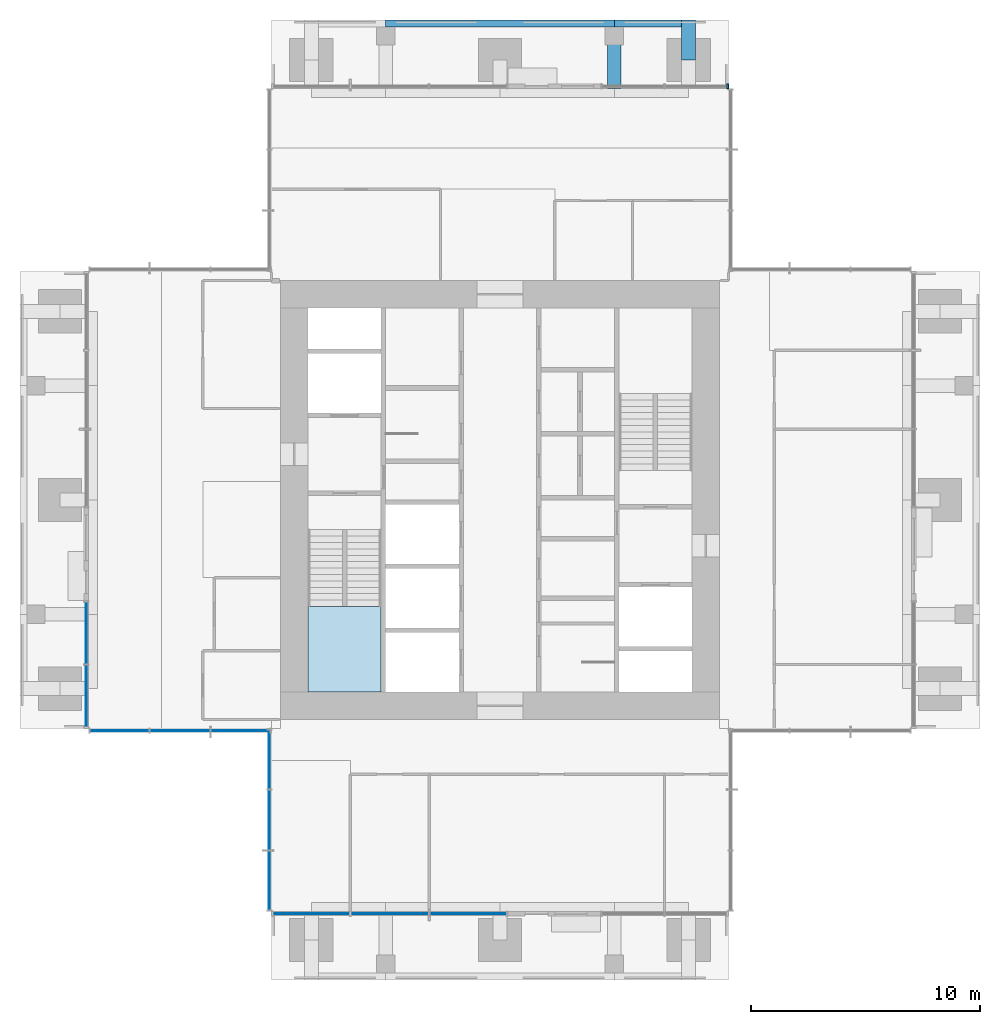
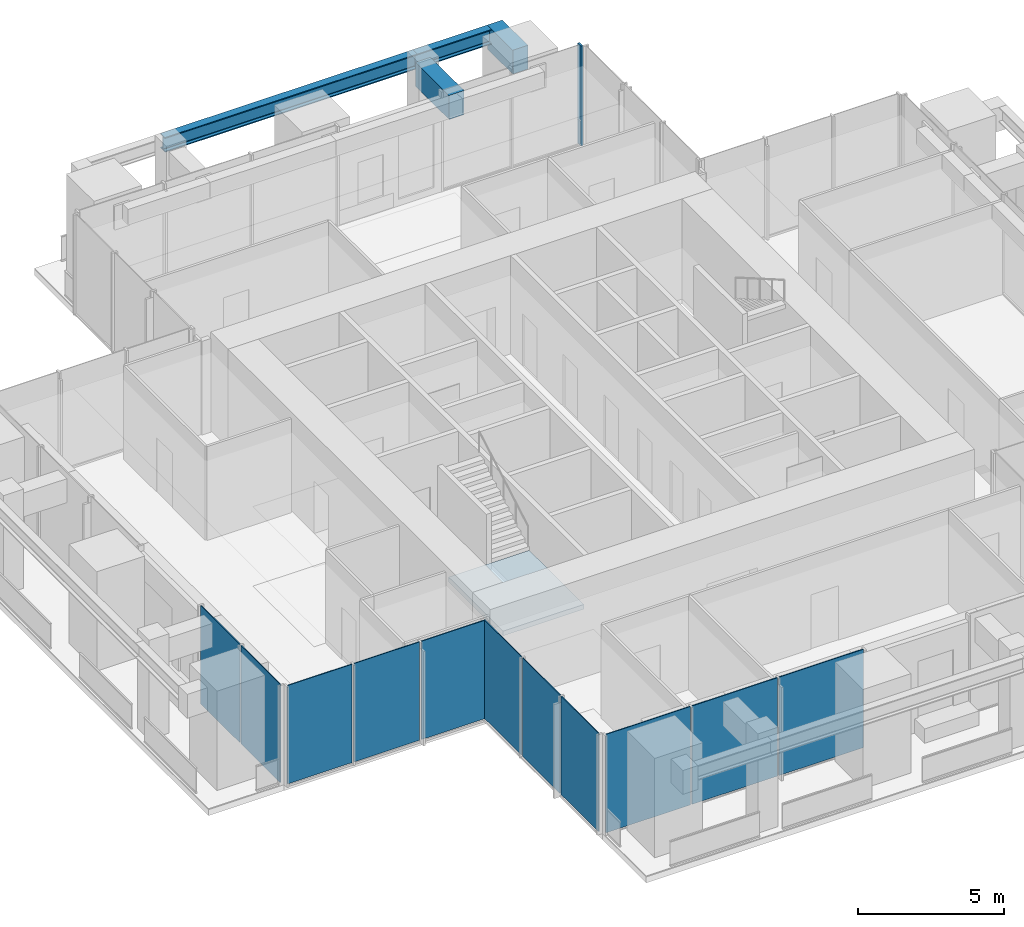
# One storey, part 5 of 12: 11 plates, 4 beams, 1 member, 1 slab, 6 elements without a shape of their own.
"""IFC4 building model written with IfcOpenShell, lengths in metres."""

from ifc_helpers import new_model, si_unit, direction, frame, origin, origin_2d, place, context, subcontext, project, spatial, polyline, rectangle, i_section, outline, extrude, material, layer, layer_set, material_profile, profile_set, type_object, element, aggregate, save


model = new_model("IFC4")

# Units and contexts
model_context = context("Model", 3, precision=1e-05, world=origin(), true_north=direction((0.0, 1.0)))
body_context = subcontext(model_context, "Body", "Model", "MODEL_VIEW")
ifc_project = project(units=[si_unit("LENGTHUNIT", "METRE"), si_unit("AREAUNIT", "SQUARE_METRE"), si_unit("VOLUMEUNIT", "CUBIC_METRE"), si_unit("PLANEANGLEUNIT", "RADIAN"), si_unit("MASSUNIT", "GRAM", prefix="KILO")], contexts=[model_context])

# Site, building, storey
site_placement = place(None, origin())
site = spatial("IfcSite", under=ifc_project, at=site_placement, CompositionType="ELEMENT")
building_placement = place(site_placement, origin())
building = spatial("IfcBuilding", under=site, at=building_placement, Name="Svetlomir Tower", CompositionType="ELEMENT")
storey_placement = place(building_placement, frame((0.0, 0.0, 244.0)))
storey = spatial("IfcBuildingStorey", under=building, at=storey_placement, Name="L58", CompositionType="ELEMENT", Elevation=244.0)

# Curtain wall, member
ifc_material_1 = material(Name="Bronze anodised aluminium curtain wall", Category="aluminium")
curtain_wall_type = type_object("IfcCurtainWallType", Name="CURTAIN WALL CW4 EXECUTIVE", PredefinedType="NOTDEFINED", material=ifc_material_1)
curtain_wall_1_placement = place(storey_placement, origin())
curtain_wall_1 = element("IfcCurtainWall", 1, at=curtain_wall_1_placement, inside=storey, type_object=curtain_wall_type, Name="Curtain wall CW4 L58", PredefinedType="NOTDEFINED")
ifc_material_2 = material(Name="Bronze anodised aluminium", Category="aluminium")
ifc_material_profile_1 = material_profile(ifc_material_2, rectangle(XDim=0.074951171875, YDim=0.219970703125, at=origin_2d()), Name="AL 75x220")
ifc_profile_set_1 = profile_set([ifc_material_profile_1], Name="Bronze anodised aluminium 6063-T6")
member_type = type_object("IfcMemberType", Name="CW4 MULLION 75x220", PredefinedType="MULLION", material=ifc_profile_set_1)
member_placement = place(storey_placement, frame((30.96240234375, 39.10009765625, 0.0), z_axis=(0.0, 0.0, 1.0), x_axis=(-1.0, 0.0, 0.0)))
member = element("IfcMember", 2, at=member_placement, type_object=member_type, Name="CW4 mullion 1", PredefinedType="MULLION", context=body_context, shape_type="SweptSolid", body=[
    extrude(rectangle(XDim=0.074951171875, YDim=0.219970703125, at=origin_2d()), origin(), (0.0, 0.0, 1.0), 4.199951171875),
])
aggregate(curtain_wall_1, [member])

# Beams
ifc_material_3 = material(Name="Steel S355", Category="steel")
ifc_material_profile_2 = material_profile(ifc_material_3, i_section(OverallWidth=0.304931640625, OverallDepth=0.6201171875, WebThickness=0.02099609375, FlangeThickness=0.0400390625, FilletRadius=0.027099609375, at=origin_2d()), Name="HEM 600")
ifc_profile_set_2 = profile_set([ifc_material_profile_2], Name="Steel S355")
beam_type_1 = type_object("IfcBeamType", Name="EDGE BEAM HEM 600", PredefinedType="SPANDREL", material=ifc_profile_set_2)
beam_1_placement = place(storey_placement, frame((16.0, 41.847412109375, 3.639892578125), z_axis=(1.0, 0.0, 0.0), x_axis=(0.0, 1.0, 0.0)))
element("IfcBeam", 3, at=beam_1_placement, inside=storey, type_object=beam_type_1, Name="Edge beam 16/42 to 26/42 under L59", PredefinedType="SPANDREL", context=body_context, shape_type="SweptSolid", body=[
    extrude(i_section(OverallWidth=0.304931640625, OverallDepth=0.6201171875, WebThickness=0.02099609375, FlangeThickness=0.0400390625, FilletRadius=0.027099609375, at=origin_2d()), origin(), (0.0, 0.0, 1.0), 10.0),
])
beam_2_placement = place(storey_placement, frame((26.0, 41.847412109375, 3.639892578125), z_axis=(1.0, 0.0, 0.0), x_axis=(0.0, 1.0, 0.0)))
element("IfcBeam", 4, at=beam_2_placement, inside=storey, type_object=beam_type_1, Name="Edge beam 26/42 to 31/42 under L59", PredefinedType="SPANDREL", context=body_context, shape_type="SweptSolid", body=[
    extrude(i_section(OverallWidth=0.304931640625, OverallDepth=0.6201171875, WebThickness=0.02099609375, FlangeThickness=0.0400390625, FilletRadius=0.027099609375, at=origin_2d()), origin(), (0.0, 0.0, 1.0), 2.949951171875),
])
ifc_material_4 = material(Name="Concrete C60/75", Category="concrete")
ifc_material_profile_3 = material_profile(ifc_material_4, rectangle(XDim=0.60009765625, YDim=1.0, at=origin_2d()), Name="RC 600x1000")
ifc_profile_set_3 = profile_set([ifc_material_profile_3], Name="Concrete C60/75")
beam_type_2 = type_object("IfcBeamType", Name="EDGE LINK BEAM RC 600x1000", PredefinedType="BEAM", material=ifc_profile_set_3)
beam_3_placement = place(storey_placement, frame((29.25, 40.25, 3.449951171875), z_axis=(0.0, 1.0, 0.0), x_axis=(-1.0, 0.0, 0.0)))
element("IfcBeam", 5, at=beam_3_placement, inside=storey, type_object=beam_type_2, Name="Edge link beam N 31/42 under L59", PredefinedType="BEAM", context=body_context, shape_type="SweptSolid", body=[
    extrude(rectangle(XDim=0.60009765625, YDim=1.0, at=origin_2d()), origin(), (0.0, 0.0, 1.0), 1.75),
])
ifc_material_5 = material(Name="Concrete C60/75", Category="concrete")
ifc_material_profile_4 = material_profile(ifc_material_5, rectangle(XDim=0.60009765625, YDim=1.0, at=origin_2d()), Name="RC 600x1000")
ifc_profile_set_4 = profile_set([ifc_material_profile_4], Name="Concrete C60/75")
beam_type_3 = type_object("IfcBeamType", Name="LOGGIA LINK BEAM RC 600x1000", PredefinedType="BEAM", material=ifc_profile_set_4)
beam_4_placement = place(storey_placement, frame((26.0, 41.300048828125, 3.449951171875), z_axis=(0.0, -1.0, 0.0), x_axis=(1.0, 0.0, 0.0)))
element("IfcBeam", 6, at=beam_4_placement, inside=storey, type_object=beam_type_3, Name="Loggia link beam N 26 under L59", PredefinedType="BEAM", context=body_context, shape_type="SweptSolid", body=[
    extrude(rectangle(XDim=0.60009765625, YDim=1.0, at=origin_2d()), origin(), (0.0, 0.0, 1.0), 2.300048828125),
])

# Curtain wall, plates
curtain_wall_2_placement = place(storey_placement, origin())
curtain_wall_2 = element("IfcCurtainWall", 7, at=curtain_wall_2_placement, inside=storey, type_object=curtain_wall_type, Name="Curtain wall CW4 L58", PredefinedType="NOTDEFINED")
ifc_material_6 = material(Name="Tinted double glazed unit", Category="glass")
ifc_layer_1 = layer(ifc_material_6, 0.035888671875)
ifc_layer_set_1 = layer_set([ifc_layer_1], Name="Tinted double glazed unit")
plate_type = type_object("IfcPlateType", Name="CW4 GLAZED PANEL 36", PredefinedType="CURTAIN_PANEL", material=ifc_layer_set_1)
plate_1_placement = place(storey_placement, frame((12.74365234375, 2.89990234375, 0.074951171875), z_axis=(0.0, 0.0, 1.0), x_axis=(1.0, 0.0, 0.0)))
plate_1 = element("IfcPlate", 8, at=plate_1_placement, type_object=plate_type, Name="CW4 panel 1.1", PredefinedType="CURTAIN_PANEL", context=body_context, shape_type="SweptSolid", body=[
    extrude(rectangle(XDim=3.33740234375, YDim=0.035888671875, at=origin_2d()), origin(), (0.0, 0.0, 1.0), 4.125),
])
plate_2_placement = place(storey_placement, frame((16.175048828125, 2.89990234375, 0.074951171875), z_axis=(0.0, 0.0, 1.0), x_axis=(1.0, 0.0, 0.0)))
plate_2 = element("IfcPlate", 9, at=plate_2_placement, type_object=plate_type, Name="CW4 panel 2.1", PredefinedType="CURTAIN_PANEL", context=body_context, shape_type="SweptSolid", body=[
    extrude(rectangle(XDim=3.375, YDim=0.035888671875, at=origin_2d()), origin(), (0.0, 0.0, 1.0), 4.125),
])
plate_3_placement = place(storey_placement, frame((19.606201171875, 2.89990234375, 0.074951171875), z_axis=(0.0, 0.0, 1.0), x_axis=(1.0, 0.0, 0.0)))
plate_3 = element("IfcPlate", 10, at=plate_3_placement, type_object=plate_type, Name="CW4 panel 3.1", PredefinedType="CURTAIN_PANEL", context=body_context, shape_type="SweptSolid", body=[
    extrude(rectangle(XDim=3.33740234375, YDim=0.035888671875, at=origin_2d()), origin(), (0.0, 0.0, 1.0), 4.125),
])
aggregate(curtain_wall_2, [plate_1, plate_2, plate_3])

curtain_wall_3_placement = place(storey_placement, origin())
curtain_wall_3 = element("IfcCurtainWall", 11, at=curtain_wall_3_placement, inside=storey, type_object=curtain_wall_type, Name="Curtain wall CW4 L58", PredefinedType="NOTDEFINED")
plate_4_placement = place(storey_placement, frame((2.89990234375, 15.18115234375, 0.074951171875), z_axis=(0.0, 0.0, 1.0), x_axis=(0.0, -1.0, 0.0)))
plate_4 = element("IfcPlate", 12, at=plate_4_placement, type_object=plate_type, Name="CW4 panel 1.1", PredefinedType="CURTAIN_PANEL", context=body_context, shape_type="SweptSolid", body=[
    extrude(rectangle(XDim=2.6875, YDim=0.035888671875, at=origin_2d()), origin(), (0.0, 0.0, 1.0), 4.125),
])
plate_5_placement = place(storey_placement, frame((2.89990234375, 12.418701171875, 0.074951171875), z_axis=(0.0, 0.0, 1.0), x_axis=(0.0, -1.0, 0.0)))
plate_5 = element("IfcPlate", 13, at=plate_5_placement, type_object=plate_type, Name="CW4 panel 2.1", PredefinedType="CURTAIN_PANEL", context=body_context, shape_type="SweptSolid", body=[
    extrude(rectangle(XDim=2.6875, YDim=0.035888671875, at=origin_2d()), origin(), (0.0, 0.0, 1.0), 4.125),
])
aggregate(curtain_wall_3, [plate_4, plate_5])

curtain_wall_4_placement = place(storey_placement, origin())
curtain_wall_4 = element("IfcCurtainWall", 14, at=curtain_wall_4_placement, inside=storey, type_object=curtain_wall_type, Name="Curtain wall CW4 L58", PredefinedType="NOTDEFINED")
plate_6_placement = place(storey_placement, frame((4.35205078125, 10.89990234375, 0.074951171875), z_axis=(0.0, 0.0, 1.0), x_axis=(1.0, 0.0, 0.0)))
plate_6 = element("IfcPlate", 15, at=plate_6_placement, type_object=plate_type, Name="CW4 panel 1.1", PredefinedType="CURTAIN_PANEL", context=body_context, shape_type="SweptSolid", body=[
    extrude(rectangle(XDim=2.55419921875, YDim=0.035888671875, at=origin_2d()), origin(), (0.0, 0.0, 1.0), 4.125),
])
plate_7_placement = place(storey_placement, frame((7.0, 10.89990234375, 0.074951171875), z_axis=(0.0, 0.0, 1.0), x_axis=(1.0, 0.0, 0.0)))
plate_7 = element("IfcPlate", 16, at=plate_7_placement, type_object=plate_type, Name="CW4 panel 2.1", PredefinedType="CURTAIN_PANEL", context=body_context, shape_type="SweptSolid", body=[
    extrude(rectangle(XDim=2.591552734375, YDim=0.035888671875, at=origin_2d()), origin(), (0.0, 0.0, 1.0), 4.125),
])
plate_8_placement = place(storey_placement, frame((9.64794921875, 10.89990234375, 0.074951171875), z_axis=(0.0, 0.0, 1.0), x_axis=(1.0, 0.0, 0.0)))
plate_8 = element("IfcPlate", 17, at=plate_8_placement, type_object=plate_type, Name="CW4 panel 3.1", PredefinedType="CURTAIN_PANEL", context=body_context, shape_type="SweptSolid", body=[
    extrude(rectangle(XDim=2.55419921875, YDim=0.035888671875, at=origin_2d()), origin(), (0.0, 0.0, 1.0), 4.125),
])
aggregate(curtain_wall_4, [plate_6, plate_7, plate_8])

curtain_wall_5_placement = place(storey_placement, origin())
curtain_wall_5 = element("IfcCurtainWall", 18, at=curtain_wall_5_placement, inside=storey, type_object=curtain_wall_type, Name="Curtain wall CW4 L58", PredefinedType="NOTDEFINED")
plate_9_placement = place(storey_placement, frame((10.89990234375, 9.64794921875, 0.074951171875), z_axis=(0.0, 0.0, 1.0), x_axis=(0.0, -1.0, 0.0)))
plate_9 = element("IfcPlate", 19, at=plate_9_placement, type_object=plate_type, Name="CW4 panel 1.1", PredefinedType="CURTAIN_PANEL", context=body_context, shape_type="SweptSolid", body=[
    extrude(rectangle(XDim=2.55419921875, YDim=0.035888671875, at=origin_2d()), origin(), (0.0, 0.0, 1.0), 4.125),
])
plate_10_placement = place(storey_placement, frame((10.89990234375, 7.0, 0.074951171875), z_axis=(0.0, 0.0, 1.0), x_axis=(0.0, -1.0, 0.0)))
plate_10 = element("IfcPlate", 20, at=plate_10_placement, type_object=plate_type, Name="CW4 panel 2.1", PredefinedType="CURTAIN_PANEL", context=body_context, shape_type="SweptSolid", body=[
    extrude(rectangle(XDim=2.591552734375, YDim=0.035888671875, at=origin_2d()), origin(), (0.0, 0.0, 1.0), 4.125),
])
plate_11_placement = place(storey_placement, frame((10.89990234375, 4.35205078125, 0.074951171875), z_axis=(0.0, 0.0, 1.0), x_axis=(0.0, -1.0, 0.0)))
plate_11 = element("IfcPlate", 21, at=plate_11_placement, type_object=plate_type, Name="CW4 panel 3.1", PredefinedType="CURTAIN_PANEL", context=body_context, shape_type="SweptSolid", body=[
    extrude(rectangle(XDim=2.55419921875, YDim=0.035888671875, at=origin_2d()), origin(), (0.0, 0.0, 1.0), 4.125),
])
aggregate(curtain_wall_5, [plate_9, plate_10, plate_11])

# Stair, slab
ifc_material_7 = material(Name="Concrete C60/75", Category="concrete")
stair_type = type_object("IfcStairType", Name="EXIT STAIR 3200 RISE 4200", PredefinedType="HALF_TURN_STAIR", material=ifc_material_7)
stair_placement = place(storey_placement, origin())
stair = element("IfcStair", 22, at=stair_placement, inside=storey, type_object=stair_type, Name="Stair S1 L58 to L59", PredefinedType="HALF_TURN_STAIR")
ifc_material_8 = material(Name="Concrete C60/75", Category="concrete")
ifc_layer_2 = layer(ifc_material_8, 0.199951171875)
ifc_layer_set_2 = layer_set([ifc_layer_2], Name="Concrete C60/75")
slab_type = type_object("IfcSlabType", Name="STAIR LANDING 200", PredefinedType="LANDING", material=ifc_layer_set_2)
slab_placement = place(storey_placement, frame((0.0, 0.0, 1.89990234375)))
slab = element("IfcSlab", 23, at=slab_placement, type_object=slab_type, Name="S1 landing 1", PredefinedType="LANDING", context=body_context, shape_type="SweptSolid", body=[
    extrude(outline(polyline([(12.60009765625, 12.60009765625), (15.800048828125, 12.60009765625), (15.800048828125, 16.340087890625), (12.60009765625, 16.340087890625), (12.60009765625, 12.60009765625)])), origin(), (0.0, 0.0, 1.0), 0.2001953125),
])
aggregate(stair, [slab])

save(model, "model.ifc")
